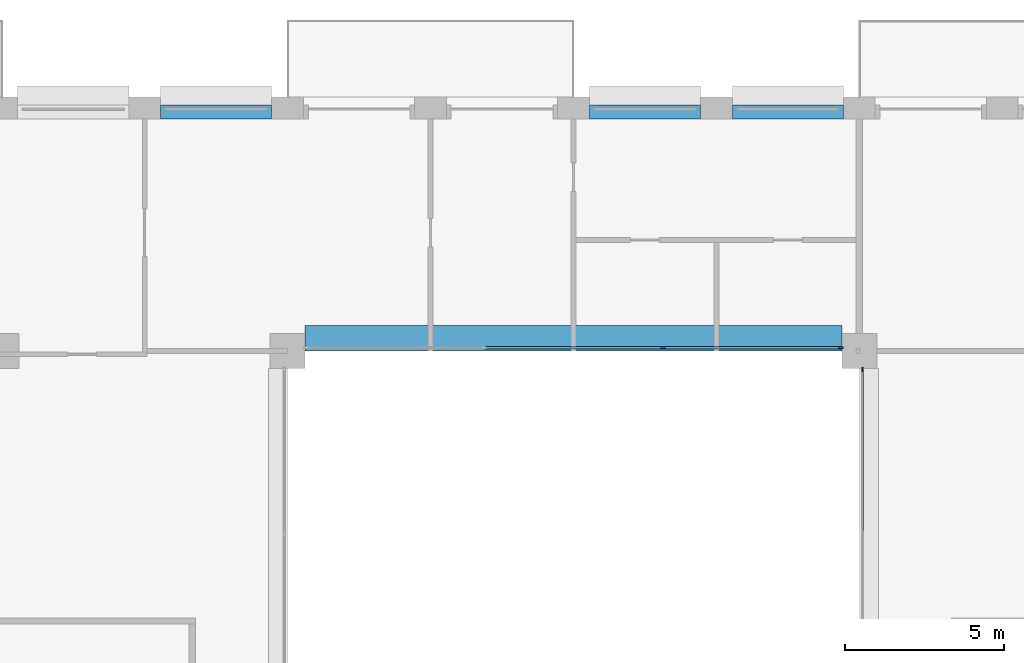
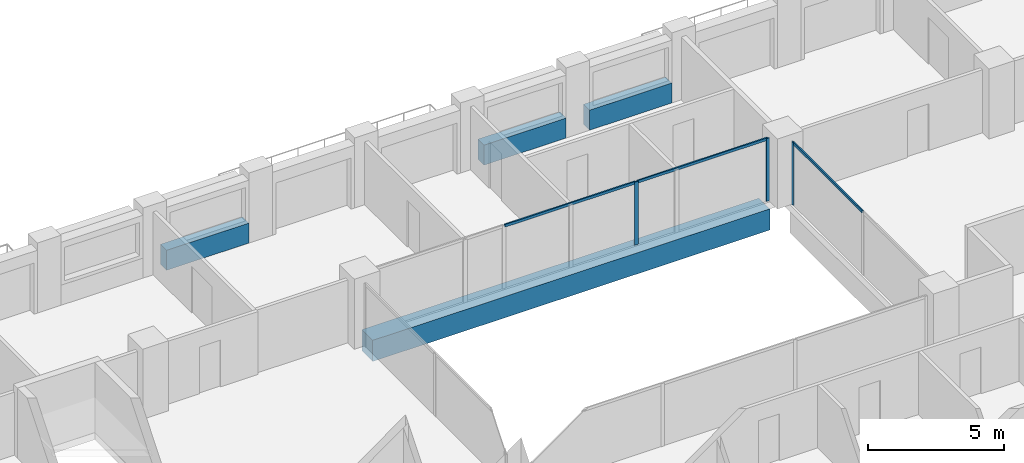
# One storey, part 6 of 15: 6 members, 4 beams, 2 elements without a shape of their own.
"""IFC4 building model written with IfcOpenShell, lengths in metres."""

from ifc_helpers import new_model, si_unit, direction, frame, origin, origin_2d, place, context, subcontext, project, spatial, rectangle, extrude, material, layer, layer_set, material_profile, profile_set, type_object, element, aggregate, save


model = new_model("IFC4")

# Units and contexts
model_context = context("Model", 3, precision=1e-05, world=origin(), true_north=direction((0.0, 1.0)))
body_context = subcontext(model_context, "Body", "Model", "MODEL_VIEW")
ifc_project = project(units=[si_unit("LENGTHUNIT", "METRE"), si_unit("AREAUNIT", "SQUARE_METRE"), si_unit("VOLUMEUNIT", "CUBIC_METRE"), si_unit("PLANEANGLEUNIT", "RADIAN"), si_unit("MASSUNIT", "GRAM", prefix="KILO")], contexts=[model_context])

# Site, building, storey
site_placement = place(None, origin())
site = spatial("IfcSite", under=ifc_project, at=site_placement, CompositionType="ELEMENT")
building_placement = place(site_placement, origin())
building = spatial("IfcBuilding", under=site, at=building_placement, Name="Brigalow Station Residences", CompositionType="ELEMENT")
storey_placement = place(building_placement, frame((0.0, 0.0, 175.949951171875)))
storey = spatial("IfcBuildingStorey", under=building, at=storey_placement, Name="L51", CompositionType="ELEMENT", Elevation=175.949951171875)

# Beam
ifc_material_1 = material(Name="Concrete C65", Category="concrete")
ifc_material_profile_1 = material_profile(ifc_material_1, rectangle(XDim=0.800048828125, YDim=0.949951171875, at=origin_2d()), Name="RC800x950")
ifc_profile_set_1 = profile_set([ifc_material_profile_1], Name="Concrete C65")
beam_type_1 = type_object("IfcBeamType", Name="ATRIUM EDGE GIRDER OVER 13.5 M SPAN 800x950 C65", PredefinedType="BEAM", material=ifc_profile_set_1)
beam_placement = place(storey_placement, frame((27.550048828125, 35.89990234375, -0.794921875), z_axis=(1.0, 0.0, 0.0), x_axis=(0.0, 1.0, 0.0)))
element("IfcBeam", 1, at=beam_placement, inside=storey, type_object=beam_type_1, Name="ATRIUM EDGE GIRDER D L51", PredefinedType="BEAM", context=body_context, shape_type="SweptSolid", body=[
    extrude(rectangle(XDim=0.800048828125, YDim=0.949951171875, at=origin_2d()), origin(), (0.0, 0.0, 1.0), 16.89990234375),
])

# Curtain wall, member
ifc_material_2 = material(Name="Aluminium", Category="aluminium")
ifc_layer = layer(ifc_material_2, 0.14990234375)
ifc_layer_set = layer_set([ifc_layer], Name="ATRIUM FIRE-RATED GLAZING CURTAIN WALL")
curtain_wall_type = type_object("IfcCurtainWallType", Name="ATRIUM FIRE-RATED GLAZING CURTAIN WALL", PredefinedType="NOTDEFINED", material=ifc_layer_set)
curtain_wall_1_placement = place(storey_placement, origin())
curtain_wall_1 = element("IfcCurtainWall", 2, at=curtain_wall_1_placement, inside=storey, type_object=curtain_wall_type, Name="L51/cw/atrium-E", PredefinedType="NOTDEFINED")
ifc_material_3 = material(Name="Aluminium", Category="aluminium")
ifc_material_profile_2 = material_profile(ifc_material_3, rectangle(XDim=0.06005859375, YDim=0.14990234375, at=origin_2d()), Name="ATRIUM FIRE-RATED GLAZING MULLION 60x150")
ifc_profile_set_2 = profile_set([ifc_material_profile_2], Name="Aluminium")
member_type_1 = type_object("IfcMemberType", Name="ATRIUM FIRE-RATED GLAZING MULLION 60x150", PredefinedType="MULLION", material=ifc_profile_set_2)
member_1_placement = place(storey_placement, frame((45.10009765625, 34.919921875, 0.0), z_axis=(0.0, 0.0, 1.0), x_axis=(-1.0, 0.0, 0.0)))
member_1 = element("IfcMember", 3, at=member_1_placement, type_object=member_type_1, Name="L51/cw/atrium-E/M02", PredefinedType="MULLION", context=body_context, shape_type="SweptSolid", body=[
    extrude(rectangle(XDim=0.06005859375, YDim=0.14990234375, at=origin_2d()), origin(), (0.0, 0.0, 1.0), 2.830078125),
])

# Curtain wall, members
curtain_wall_2_placement = place(storey_placement, origin())
curtain_wall_2 = element("IfcCurtainWall", 4, at=curtain_wall_2_placement, inside=storey, type_object=curtain_wall_type, Name="L51/cw/atrium-N", PredefinedType="NOTDEFINED")
member_2_placement = place(storey_placement, frame((44.419921875, 35.60009765625, 0.0), z_axis=(0.0, 0.0, 1.0), x_axis=(0.0, -1.0, 0.0)))
member_2 = element("IfcMember", 5, at=member_2_placement, type_object=member_type_1, Name="L51/cw/atrium-N/M00", PredefinedType="MULLION", context=body_context, shape_type="SweptSolid", body=[
    extrude(rectangle(XDim=0.06005859375, YDim=0.14990234375, at=origin_2d()), origin(), (0.0, 0.0, 1.0), 2.830078125),
])
member_3_placement = place(storey_placement, frame((38.816650390625, 35.60009765625, 0.0), z_axis=(0.0, 0.0, 1.0), x_axis=(0.0, -1.0, 0.0)))
member_3 = element("IfcMember", 6, at=member_3_placement, type_object=member_type_1, Name="L51/cw/atrium-N/M01", PredefinedType="MULLION", context=body_context, shape_type="SweptSolid", body=[
    extrude(rectangle(XDim=0.06005859375, YDim=0.14990234375, at=origin_2d()), origin(), (0.0, 0.0, 1.0), 2.830078125),
])

# Member
ifc_material_4 = material(Name="Aluminium", Category="aluminium")
ifc_material_profile_3 = material_profile(ifc_material_4, rectangle(XDim=0.06005859375, YDim=0.1201171875, at=origin_2d()), Name="ATRIUM FIRE-RATED GLAZING TRANSOM 60x120")
ifc_profile_set_3 = profile_set([ifc_material_profile_3], Name="Aluminium")
member_type_2 = type_object("IfcMemberType", Name="ATRIUM FIRE-RATED GLAZING TRANSOM 60x120", PredefinedType="USERDEFINED", material=ifc_profile_set_3)
member_4_placement = place(storey_placement, frame((45.10009765625, 29.780029296875, 2.800048828125), z_axis=(0.0, 1.0, 0.0), x_axis=(-1.0, 0.0, 0.0)))
member_4 = element("IfcMember", 7, at=member_4_placement, type_object=member_type_2, Name="L51/cw/atrium-E/T01-00", ObjectType="TRANSOM", PredefinedType="USERDEFINED", context=body_context, shape_type="SweptSolid", body=[
    extrude(rectangle(XDim=0.06005859375, YDim=0.1201171875, at=origin_2d()), origin(), (0.0, 0.0, 1.0), 5.10986328125),
])

aggregate(curtain_wall_1, [member_1, member_4])

member_5_placement = place(storey_placement, frame((44.389892578125, 35.60009765625, 2.800048828125), z_axis=(-1.0, 0.0, 0.0), x_axis=(0.0, -1.0, 0.0)))
member_5 = element("IfcMember", 8, at=member_5_placement, type_object=member_type_2, Name="L51/cw/atrium-N/T00-00", ObjectType="TRANSOM", PredefinedType="USERDEFINED", context=body_context, shape_type="SweptSolid", body=[
    extrude(rectangle(XDim=0.06005859375, YDim=0.1201171875, at=origin_2d()), origin(), (0.0, 0.0, 1.0), 5.543212890625),
])

member_6_placement = place(storey_placement, frame((38.78662109375, 35.60009765625, 2.800048828125), z_axis=(-1.0, 0.0, 0.0), x_axis=(0.0, -1.0, 0.0)))
member_6 = element("IfcMember", 9, at=member_6_placement, type_object=member_type_2, Name="L51/cw/atrium-N/T01-00", ObjectType="TRANSOM", PredefinedType="USERDEFINED", context=body_context, shape_type="SweptSolid", body=[
    extrude(rectangle(XDim=0.06005859375, YDim=0.1201171875, at=origin_2d()), origin(), (0.0, 0.0, 1.0), 5.5732421875),
])

aggregate(curtain_wall_2, [member_2, member_3, member_5, member_6])

# Beams
ifc_material_5 = material(Name="Concrete C50", Category="concrete")
ifc_material_profile_4 = material_profile(ifc_material_5, rectangle(XDim=0.449951171875, YDim=0.89990234375, at=origin_2d()), Name="RC450x900")
ifc_profile_set_4 = profile_set([ifc_material_profile_4], Name="Concrete C50")
beam_type_2 = type_object("IfcBeamType", Name="SPANDREL BEAM 450x900 C50", PredefinedType="SPANDREL", material=ifc_profile_set_4)
for number, where, z_axis, x_axis, name in (
    (10, (44.5, 43.02490234375, 0.449951171875), (-1.0, 0.0, 0.0), (0.0, -1.0, 0.0), "L51/spandrel/W-L51-27"),
    (11, (40.0, 43.02490234375, 0.449951171875), (-1.0, 0.0, 0.0), (0.0, -1.0, 0.0), "L51/spandrel/W-L51-28"),
    (12, (26.5, 43.02490234375, 0.449951171875), (-1.0, 0.0, 0.0), (0.0, -1.0, 0.0), "L51/spandrel/W-L51-31"),
):
    element("IfcBeam", number, at=place(storey_placement, frame(where, z_axis=z_axis, x_axis=x_axis)), inside=storey, type_object=beam_type_2, Name=name, PredefinedType="SPANDREL", context=body_context, shape_type="SweptSolid", body=[
        extrude(rectangle(XDim=0.449951171875, YDim=0.89990234375, at=origin_2d()), origin(), (0.0, 0.0, 1.0), 3.5),
    ])

save(model, "model.ifc")
